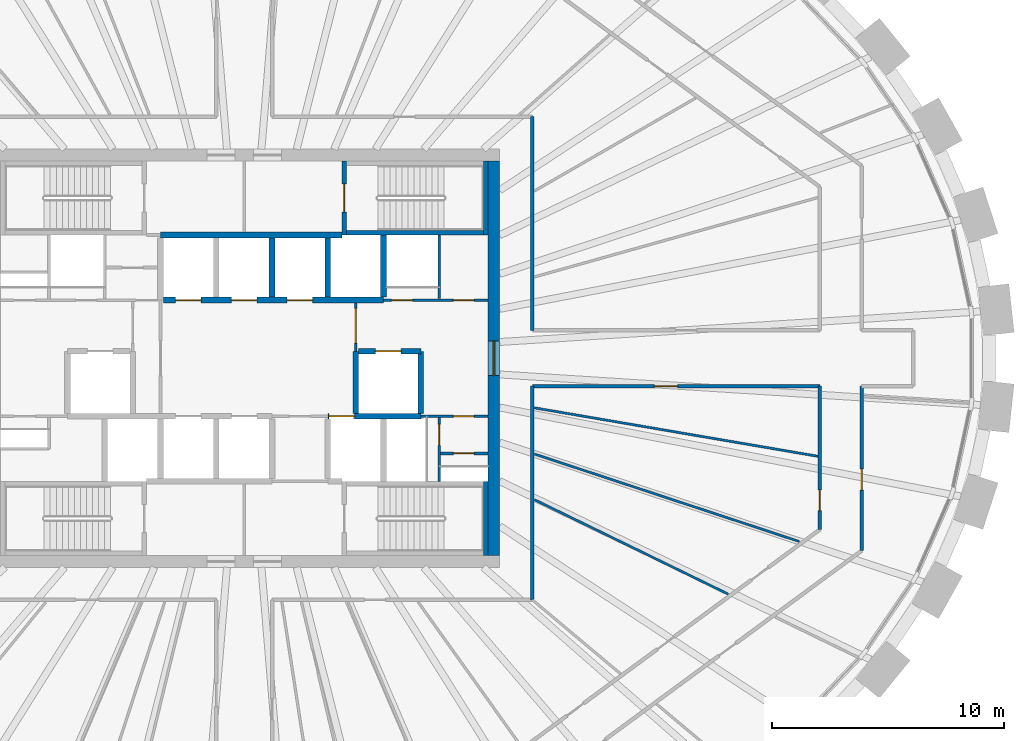
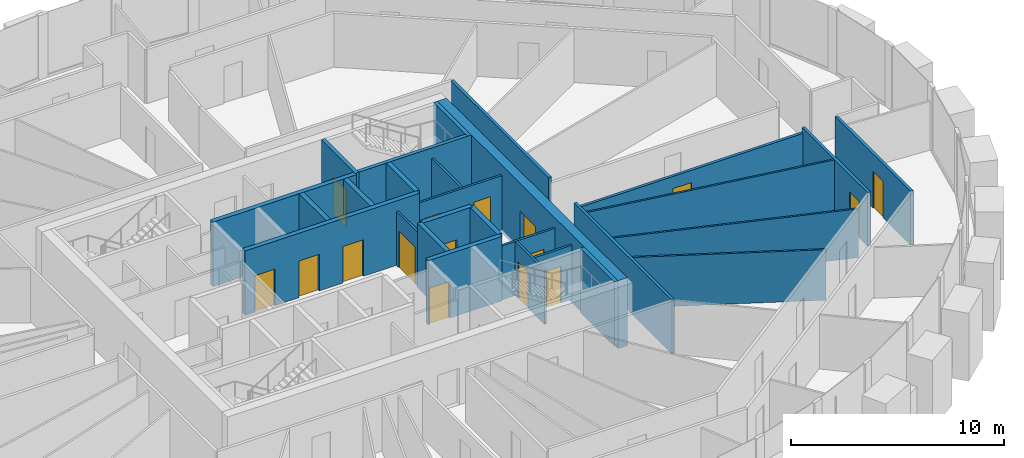
# One storey, part 9 of 12: 28 walls, 16 doors, 16 openings.
"""IFC4 building model written with IfcOpenShell, lengths in metres."""

from ifc_helpers import new_model, si_unit, direction, frame, frame_2d, origin, place, context, subcontext, project, spatial, rectangle, extrude, source, transform, mapped, material, layer, layer_set, type_object, element, fill, save


model = new_model("IFC4")

# Units and contexts
model_context = context("Model", 3, precision=1e-05, world=origin(), true_north=direction((0.0, 1.0)))
body_context = subcontext(model_context, "Body", "Model", "MODEL_VIEW")
ifc_project = project(units=[si_unit("LENGTHUNIT", "METRE"), si_unit("AREAUNIT", "SQUARE_METRE"), si_unit("VOLUMEUNIT", "CUBIC_METRE"), si_unit("PLANEANGLEUNIT", "RADIAN"), si_unit("MASSUNIT", "GRAM", prefix="KILO")], contexts=[model_context])

# Site, building, storey
site_placement = place(None, origin())
site = spatial("IfcSite", under=ifc_project, at=site_placement, CompositionType="ELEMENT")
building_placement = place(site_placement, origin())
building = spatial("IfcBuilding", under=site, at=building_placement, Name="Embergate Tower", CompositionType="ELEMENT")
storey_placement = place(building_placement, frame((0.0, 0.0, 273.39990234375)))
storey = spatial("IfcBuildingStorey", under=building, at=storey_placement, Name="L63", CompositionType="ELEMENT", Elevation=273.39990234375)

# Wall, opening, door
ifc_material_1 = material(Name="Concrete C50", Category="concrete")
ifc_layer_1 = layer(ifc_material_1, 0.5)
ifc_layer_set_1 = layer_set([ifc_layer_1], Name="Concrete C50")
wall_type_1 = type_object("IfcWallType", Name="Core outer wall C50 500", PredefinedType="SHEAR", material=ifc_layer_set_1)
shared_shape_1 = source(origin(), body_context, "Body", "SweptSolid", [
    extrude(rectangle(XDim=17.0, YDim=0.5, at=frame_2d((8.5, 0.0))), origin(), (0.0, 0.0, 1.0), 3.900146484375),
])
wall_1_placement = place(storey_placement, frame((10.75, -8.5, -0.199951171875), z_axis=(0.0, 0.0, 1.0), x_axis=(0.0, 1.0, 0.0)))
wall_1 = element("IfcWall", 1, at=wall_1_placement, inside=storey, type_object=wall_type_1, Name="CW-L63-E", PredefinedType="SHEAR", context=body_context, shape_type="MappedRepresentation", body=[
    mapped(shared_shape_1, transform((0.0, 0.0, 0.0))),
])
shared_shape_2 = source(origin(), body_context, "Body", "SweptSolid", [
    extrude(rectangle(XDim=1.5, YDim=2.10009765625, at=frame_2d((0.75, 1.050048828125))), frame((0.0, 0.260009765625, 0.0), z_axis=(0.0, -1.0, 0.0), x_axis=(1.0, 0.0, 0.0)), (0.0, 0.0, 1.0), 0.52001953125),
])
opening_1_placement = place(wall_1_placement, frame((7.75, 0.0, 0.199951171875)))
opening_1 = element("IfcOpeningElement", 2, at=opening_1_placement, cuts=wall_1, Name="Opening IF-3", PredefinedType="OPENING", context=body_context, shape_type="MappedRepresentation", body=[
    mapped(shared_shape_2, transform((0.0, 0.0, 0.0))),
])
ifc_material_2 = material(Name="Lobby fire door pair 1500")
door_type_1 = type_object("IfcDoorType", Name="Lobby fire door pair 1500", OperationType="DOUBLE_DOOR_SINGLE_SWING", PredefinedType="DOOR", material=ifc_material_2)
shared_shape_3 = source(origin(), body_context, "Body", "SweptSolid", [
    extrude(rectangle(XDim=1.5, YDim=2.10009765625, at=frame_2d((0.75, 1.050048828125))), frame((0.0, 0.02490234375, 0.0), z_axis=(0.0, -1.0, 0.0), x_axis=(1.0, 0.0, 0.0)), (0.0, 0.0, 1.0), 0.050048828125),
])
door_1_placement = place(opening_1_placement, origin())
door_1 = element("IfcDoor", 3, at=door_1_placement, inside=storey, type_object=door_type_1, Name="IF-3 door", OperationType="DOUBLE_DOOR_SINGLE_SWING", OverallHeight=2.10009765625, OverallWidth=1.5, PredefinedType="DOOR", context=body_context, shape_type="MappedRepresentation", body=[
    mapped(shared_shape_3, transform((0.0, 0.0, 0.0))),
])
fill(opening_1, door_1)

# Wall
ifc_material_3 = material(Name="Core partition blockwork 120")
ifc_layer_2 = layer(ifc_material_3, 0.1201171875)
ifc_layer_set_2 = layer_set([ifc_layer_2], Name="Core partition blockwork 120")
wall_type_2 = type_object("IfcWallType", Name="Core partition blockwork 120", PredefinedType="PARTITIONING", material=ifc_layer_set_2)
shared_shape_4 = source(origin(), body_context, "Body", "SweptSolid", [
    extrude(rectangle(XDim=2.739990234375, YDim=0.1201171875, at=frame_2d((1.3701171875, 0.0))), origin(), (0.0, 0.0, 1.0), 3.10009765625),
])
wall_2_placement = place(storey_placement, frame((8.39990234375, 2.56005859375, 0.0), z_axis=(0.0, 0.0, 1.0), x_axis=(0.0, 1.0, 0.0)))
element("IfcWall", 4, at=wall_2_placement, inside=storey, type_object=wall_type_2, Name="IP-3 wall", PredefinedType="PARTITIONING", context=body_context, shape_type="MappedRepresentation", body=[
    mapped(shared_shape_4, transform((0.0, 0.0, 0.0))),
])

# Wall, opening, door
wall_3_placement = place(storey_placement, frame((8.39990234375, -5.300048828125, 0.0), z_axis=(0.0, 0.0, 1.0), x_axis=(0.0, 1.0, 0.0)))
wall_3 = element("IfcWall", 5, at=wall_3_placement, inside=storey, type_object=wall_type_2, Name="IP-3 wall", PredefinedType="PARTITIONING", context=body_context, shape_type="MappedRepresentation", body=[
    mapped(shared_shape_4, transform((0.0, 0.0, 0.0))),
])
shared_shape_5 = source(origin(), body_context, "Body", "SweptSolid", [
    extrude(rectangle(XDim=0.89990234375, YDim=2.10009765625, at=frame_2d((0.449951171875, 1.050048828125))), frame((0.0, 0.070068359375, 0.0), z_axis=(0.0, -1.0, 0.0), x_axis=(1.0, 0.0, 0.0)), (0.0, 0.0, 1.0), 0.14013671875),
])
opening_2_placement = place(wall_3_placement, frame((1.552001953125, 0.0, 0.0)))
opening_2 = element("IfcOpeningElement", 6, at=opening_2_placement, cuts=wall_3, Name="Opening ID-1", PredefinedType="OPENING", context=body_context, shape_type="MappedRepresentation", body=[
    mapped(shared_shape_5, transform((0.0, 0.0, 0.0))),
])
ifc_material_4 = material(Name="Interior door 900")
door_type_2 = type_object("IfcDoorType", Name="Interior door 900", OperationType="SINGLE_SWING_LEFT", PredefinedType="DOOR", material=ifc_material_4)
shared_shape_6 = source(origin(), body_context, "Body", "SweptSolid", [
    extrude(rectangle(XDim=0.89990234375, YDim=2.10009765625, at=frame_2d((0.449951171875, 1.050048828125))), frame((0.0, 0.02490234375, 0.0), z_axis=(0.0, -1.0, 0.0), x_axis=(1.0, 0.0, 0.0)), (0.0, 0.0, 1.0), 0.050048828125),
])
door_2_placement = place(opening_2_placement, origin())
door_2 = element("IfcDoor", 7, at=door_2_placement, inside=storey, type_object=door_type_2, Name="ID-1 door", OperationType="SINGLE_SWING_RIGHT", OverallHeight=2.10009765625, OverallWidth=0.89990234375, PredefinedType="DOOR", context=body_context, shape_type="MappedRepresentation", body=[
    mapped(shared_shape_6, transform((0.0, 0.0, 0.0))),
])
fill(opening_2, door_2)

shared_shape_7 = source(origin(), body_context, "Body", "SweptSolid", [
    extrude(rectangle(XDim=2.074951171875, YDim=0.1201171875, at=frame_2d((1.03759765625, 0.0))), origin(), (0.0, 0.0, 1.0), 3.10009765625),
])
wall_4_placement = place(storey_placement, frame((4.800048828125, 0.300048828125, 0.0), z_axis=(0.0, 0.0, 1.0), x_axis=(0.0, 1.0, 0.0)))
wall_4 = element("IfcWall", 8, at=wall_4_placement, inside=storey, type_object=wall_type_2, Name="IP-3 wall", PredefinedType="PARTITIONING", context=body_context, shape_type="MappedRepresentation", body=[
    mapped(shared_shape_7, transform((0.0, 0.0, 0.0))),
])
shared_shape_8 = source(origin(), body_context, "Body", "SweptSolid", [
    extrude(rectangle(XDim=1.5, YDim=2.10009765625, at=frame_2d((0.75, 1.050048828125))), frame((0.0, 0.070068359375, 0.0), z_axis=(0.0, -1.0, 0.0), x_axis=(1.0, 0.0, 0.0)), (0.0, 0.0, 1.0), 0.14013671875),
])
opening_3_placement = place(wall_4_placement, frame((0.35009765625, 0.0, 0.0)))
opening_3 = element("IfcOpeningElement", 9, at=opening_3_placement, cuts=wall_4, Name="Opening IF-3", PredefinedType="OPENING", context=body_context, shape_type="MappedRepresentation", body=[
    mapped(shared_shape_8, transform((0.0, 0.0, 0.0))),
])
door_3_placement = place(opening_3_placement, origin())
door_3 = element("IfcDoor", 10, at=door_3_placement, inside=storey, type_object=door_type_1, Name="IF-3 door", OperationType="DOUBLE_DOOR_SINGLE_SWING", OverallHeight=2.10009765625, OverallWidth=1.5, PredefinedType="DOOR", context=body_context, shape_type="MappedRepresentation", body=[
    mapped(shared_shape_3, transform((0.0, 0.0, 0.0))),
])
fill(opening_3, door_3)

# Walls
ifc_layer_3 = layer(ifc_material_1, 0.25)
ifc_layer_set_3 = layer_set([ifc_layer_3], Name="Concrete C50")
wall_type_3 = type_object("IfcWallType", Name="Hoistway wall reinforced concrete 250", PredefinedType="SHEAR", material=ifc_layer_set_3)
shared_shape_9 = source(origin(), body_context, "Body", "SweptSolid", [
    extrude(rectangle(XDim=2.675048828125, YDim=0.25, at=frame_2d((1.33740234375, 0.0))), origin(), (0.0, 0.0, 1.0), 3.7001953125),
])
for number, where, z_axis, x_axis, name in (
    (11, (6.0, 2.625, 0.0), (0.0, 0.0, 1.0), (0.0, 1.0, 0.0), "HW-1 wall"),
    (12, (4.800048828125, -2.375, 0.0), (0.0, 0.0, 1.0), (0.0, 1.0, 0.0), "HW-1 wall"),
):
    element("IfcWall", number, at=place(storey_placement, frame(where, z_axis=z_axis, x_axis=x_axis)), inside=storey, type_object=wall_type_3, Name=name, PredefinedType="SHEAR", context=body_context, shape_type="MappedRepresentation", body=[
        mapped(shared_shape_9, transform((0.0, 0.0, 0.0))),
    ])

# Wall, opening, door
wall_5_placement = place(storey_placement, frame((7.60009765625, 0.300048828125, 0.0), z_axis=(0.0, 0.0, 1.0), x_axis=(-1.0, 0.0, 0.0)))
wall_5 = element("IfcWall", 13, at=wall_5_placement, inside=storey, type_object=wall_type_3, Name="HW-1 wall", PredefinedType="SHEAR", context=body_context, shape_type="MappedRepresentation", body=[
    mapped(shared_shape_9, transform((0.0, 0.0, 0.0))),
])
shared_shape_10 = source(origin(), body_context, "Body", "SweptSolid", [
    extrude(rectangle(XDim=1.10009765625, YDim=2.10009765625, at=frame_2d((0.550048828125, 1.050048828125))), frame((0.0, 0.135009765625, 0.0), z_axis=(0.0, -1.0, 0.0), x_axis=(1.0, 0.0, 0.0)), (0.0, 0.0, 1.0), 0.27001953125),
])
opening_4_placement = place(wall_5_placement, frame((0.85009765625, 0.0, 0.0)))
opening_4 = element("IfcOpeningElement", 14, at=opening_4_placement, cuts=wall_5, Name="Opening LD", PredefinedType="OPENING", context=body_context, shape_type="MappedRepresentation", body=[
    mapped(shared_shape_10, transform((0.0, 0.0, 0.0))),
])
ifc_material_5 = material(Name="Landing door sliding 1100")
door_type_3 = type_object("IfcDoorType", Name="Landing door sliding 1100", OperationType="SLIDING_TO_LEFT", PredefinedType="DOOR", material=ifc_material_5)
shared_shape_11 = source(origin(), body_context, "Body", "SweptSolid", [
    extrude(rectangle(XDim=1.10009765625, YDim=2.10009765625, at=frame_2d((0.550048828125, 1.050048828125))), frame((0.0, 0.02490234375, 0.0), z_axis=(0.0, -1.0, 0.0), x_axis=(1.0, 0.0, 0.0)), (0.0, 0.0, 1.0), 0.050048828125),
])
door_4_placement = place(opening_4_placement, origin())
door_4 = element("IfcDoor", 15, at=door_4_placement, inside=storey, type_object=door_type_3, Name="LD door", OperationType="SLIDING_TO_RIGHT", OverallHeight=2.10009765625, OverallWidth=1.10009765625, PredefinedType="DOOR", context=body_context, shape_type="MappedRepresentation", body=[
    mapped(shared_shape_11, transform((0.0, 0.0, 0.0))),
])
fill(opening_4, door_4)

# Walls
wall_6_placement = place(storey_placement, frame((7.60009765625, -2.375, 0.0), z_axis=(0.0, 0.0, 1.0), x_axis=(0.0, 1.0, 0.0)))
element("IfcWall", 16, at=wall_6_placement, inside=storey, type_object=wall_type_3, Name="HW-1 wall", PredefinedType="SHEAR", context=body_context, shape_type="MappedRepresentation", body=[
    mapped(shared_shape_9, transform((0.0, 0.0, 0.0))),
])
ifc_layer_4 = layer(ifc_material_1, 0.199951171875)
ifc_layer_set_4 = layer_set([ifc_layer_4], Name="Concrete C50")
wall_type_4 = type_object("IfcWallType", Name="Stair enclosure wall reinforced concrete 250", PredefinedType="SHEAR", material=ifc_layer_set_4)
shared_shape_12 = source(origin(), body_context, "Body", "SweptSolid", [
    extrude(rectangle(XDim=6.300048828125, YDim=0.199951171875, at=frame_2d((3.14990234375, 0.0))), origin(), (0.0, 0.0, 1.0), 3.7001953125),
])
wall_7_placement = place(storey_placement, frame((10.5, 5.39990234375, 0.0), z_axis=(0.0, 0.0, 1.0), x_axis=(-1.0, 0.0, 0.0)))
element("IfcWall", 17, at=wall_7_placement, inside=storey, type_object=wall_type_4, Name="SE-1 wall", PredefinedType="SHEAR", context=body_context, shape_type="MappedRepresentation", body=[
    mapped(shared_shape_12, transform((0.0, 0.0, 0.0))),
])
shared_shape_13 = source(origin(), body_context, "Body", "SweptSolid", [
    extrude(rectangle(XDim=2.550048828125, YDim=0.25, at=frame_2d((1.27490234375, 0.0))), origin(), (0.0, 0.0, 1.0), 3.7001953125),
])
for number, where, z_axis, x_axis, name in (
    (18, (1.199951171875, 2.625, 0.0), (0.0, 0.0, 1.0), (0.0, 1.0, 0.0), "HW-1 wall"),
    (19, (3.60009765625, 2.625, 0.0), (0.0, 0.0, 1.0), (0.0, 1.0, 0.0), "HW-1 wall"),
):
    element("IfcWall", number, at=place(storey_placement, frame(where, z_axis=z_axis, x_axis=x_axis)), inside=storey, type_object=wall_type_3, Name=name, PredefinedType="SHEAR", context=body_context, shape_type="MappedRepresentation", body=[
        mapped(shared_shape_13, transform((0.0, 0.0, 0.0))),
    ])

# Wall, opening, door
shared_shape_14 = source(origin(), body_context, "Body", "SweptSolid", [
    extrude(rectangle(XDim=3.199951171875, YDim=0.199951171875, at=frame_2d((1.60009765625, 0.0))), origin(), (0.0, 0.0, 1.0), 3.7001953125),
])
wall_8_placement = place(storey_placement, frame((4.300048828125, 8.5, 0.0), z_axis=(0.0, 0.0, 1.0), x_axis=(0.0, -1.0, 0.0)))
wall_8 = element("IfcWall", 20, at=wall_8_placement, inside=storey, type_object=wall_type_4, Name="SE-1 wall", PredefinedType="SHEAR", context=body_context, shape_type="MappedRepresentation", body=[
    mapped(shared_shape_14, transform((0.0, 0.0, 0.0))),
])
shared_shape_15 = source(origin(), body_context, "Body", "SweptSolid", [
    extrude(rectangle(XDim=1.199951171875, YDim=2.10009765625, at=frame_2d((0.60009765625, 1.050048828125))), frame((0.0, 0.10986328125, 0.0), z_axis=(0.0, -1.0, 0.0), x_axis=(1.0, 0.0, 0.0)), (0.0, 0.0, 1.0), 0.219970703125),
])
opening_5_placement = place(wall_8_placement, frame((1.0, 0.0, 0.0)))
opening_5 = element("IfcOpeningElement", 21, at=opening_5_placement, cuts=wall_8, Name="Opening IF-2", PredefinedType="OPENING", context=body_context, shape_type="MappedRepresentation", body=[
    mapped(shared_shape_15, transform((0.0, 0.0, 0.0))),
])
ifc_material_6 = material(Name="Stair enclosure door 1200")
door_type_4 = type_object("IfcDoorType", Name="Stair enclosure door 1200", OperationType="SINGLE_SWING_LEFT", PredefinedType="DOOR", material=ifc_material_6)
shared_shape_16 = source(origin(), body_context, "Body", "SweptSolid", [
    extrude(rectangle(XDim=1.199951171875, YDim=2.10009765625, at=frame_2d((0.60009765625, 1.050048828125))), frame((0.0, 0.02490234375, 0.0), z_axis=(0.0, -1.0, 0.0), x_axis=(1.0, 0.0, 0.0)), (0.0, 0.0, 1.0), 0.050048828125),
])
door_5_placement = place(opening_5_placement, origin())
door_5 = element("IfcDoor", 22, at=door_5_placement, inside=storey, type_object=door_type_4, Name="IF-2 door", OperationType="SINGLE_SWING_RIGHT", OverallHeight=2.10009765625, OverallWidth=1.199951171875, PredefinedType="DOOR", context=body_context, shape_type="MappedRepresentation", body=[
    mapped(shared_shape_16, transform((0.0, 0.0, 0.0))),
])
fill(opening_5, door_5)

# Wall
ifc_material_7 = material(Name="Corridor wall dry-lined 150")
ifc_layer_5 = layer(ifc_material_7, 0.14990234375)
ifc_layer_set_5 = layer_set([ifc_layer_5], Name="Corridor wall dry-lined 150")
wall_type_5 = type_object("IfcWallType", Name="Corridor wall dry-lined 150", PredefinedType="PARTITIONING", material=ifc_layer_set_5)
shared_shape_17 = source(origin(), body_context, "Body", "SweptSolid", [
    extrude(rectangle(XDim=9.199951171875, YDim=0.14990234375, at=frame_2d((4.60009765625, 0.0))), origin(), (0.0, 0.0, 1.0), 3.10009765625),
])
wall_9_placement = place(storey_placement, frame((12.39990234375, 10.39990234375, 0.0), z_axis=(0.0, 0.0, 1.0), x_axis=(0.0, -1.0, 0.0)))
element("IfcWall", 23, at=wall_9_placement, inside=storey, type_object=wall_type_5, Name="IP-2 wall", PredefinedType="PARTITIONING", context=body_context, shape_type="MappedRepresentation", body=[
    mapped(shared_shape_17, transform((0.0, 0.0, 0.0))),
])

# Wall, openings, doors
shared_shape_18 = source(origin(), body_context, "Body", "SweptSolid", [
    extrude(rectangle(XDim=4.5, YDim=0.1201171875, at=frame_2d((2.25, 0.0))), origin(), (0.0, 0.0, 1.0), 3.10009765625),
])
wall_10_placement = place(storey_placement, frame((6.0, 2.5, 0.0), z_axis=(0.0, 0.0, 1.0), x_axis=(1.0, 0.0, 0.0)))
wall_10 = element("IfcWall", 24, at=wall_10_placement, inside=storey, type_object=wall_type_2, Name="IP-3 wall", PredefinedType="PARTITIONING", context=body_context, shape_type="MappedRepresentation", body=[
    mapped(shared_shape_18, transform((0.0, 0.0, 0.0))),
])
opening_6_placement = place(wall_10_placement, frame((0.35009765625, 0.0, 0.0)))
opening_6 = element("IfcOpeningElement", 25, at=opening_6_placement, cuts=wall_10, Name="Opening ID-1", PredefinedType="OPENING", context=body_context, shape_type="MappedRepresentation", body=[
    mapped(shared_shape_5, transform((0.0, 0.0, 0.0))),
])
opening_7_placement = place(wall_10_placement, frame((3.0, 0.0, 0.0)))
opening_7 = element("IfcOpeningElement", 26, at=opening_7_placement, cuts=wall_10, Name="Opening ID-1", PredefinedType="OPENING", context=body_context, shape_type="MappedRepresentation", body=[
    mapped(shared_shape_5, transform((0.0, 0.0, 0.0))),
])
door_6_placement = place(opening_6_placement, origin())
door_6 = element("IfcDoor", 27, at=door_6_placement, inside=storey, type_object=door_type_2, Name="ID-1 door", OperationType="SINGLE_SWING_RIGHT", OverallHeight=2.10009765625, OverallWidth=0.89990234375, PredefinedType="DOOR", context=body_context, shape_type="MappedRepresentation", body=[
    mapped(shared_shape_6, transform((0.0, 0.0, 0.0))),
])
fill(opening_6, door_6)
door_7_placement = place(opening_7_placement, origin())
door_7 = element("IfcDoor", 28, at=door_7_placement, inside=storey, type_object=door_type_2, Name="ID-1 door", OperationType="SINGLE_SWING_LEFT", OverallHeight=2.10009765625, OverallWidth=0.89990234375, PredefinedType="DOOR", context=body_context, shape_type="MappedRepresentation", body=[
    mapped(shared_shape_6, transform((0.0, 0.0, 0.0))),
])
fill(opening_7, door_7)

# Wall, opening, door
shared_shape_19 = source(origin(), body_context, "Body", "SweptSolid", [
    extrude(rectangle(XDim=2.89990234375, YDim=0.1201171875, at=frame_2d((1.449951171875, 0.0))), origin(), (0.0, 0.0, 1.0), 3.10009765625),
])
wall_11_placement = place(storey_placement, frame((10.5, -2.5, 0.0), z_axis=(0.0, 0.0, 1.0), x_axis=(-1.0, 0.0, 0.0)))
wall_11 = element("IfcWall", 29, at=wall_11_placement, inside=storey, type_object=wall_type_2, Name="IP-3 wall", PredefinedType="PARTITIONING", context=body_context, shape_type="MappedRepresentation", body=[
    mapped(shared_shape_19, transform((0.0, 0.0, 0.0))),
])
opening_8_placement = place(wall_11_placement, frame((0.60009765625, 0.0, 0.0)))
opening_8 = element("IfcOpeningElement", 30, at=opening_8_placement, cuts=wall_11, Name="Opening ID-1", PredefinedType="OPENING", context=body_context, shape_type="MappedRepresentation", body=[
    mapped(shared_shape_5, transform((0.0, 0.0, 0.0))),
])
door_8_placement = place(opening_8_placement, origin())
door_8 = element("IfcDoor", 31, at=door_8_placement, inside=storey, type_object=door_type_2, Name="ID-1 door", OperationType="SINGLE_SWING_RIGHT", OverallHeight=2.10009765625, OverallWidth=0.89990234375, PredefinedType="DOOR", context=body_context, shape_type="MappedRepresentation", body=[
    mapped(shared_shape_6, transform((0.0, 0.0, 0.0))),
])
fill(opening_8, door_8)

# Wall, openings, doors
shared_shape_20 = source(origin(), body_context, "Body", "SweptSolid", [
    extrude(rectangle(XDim=9.47509765625, YDim=0.25, at=frame_2d((4.737548828125, 0.0))), origin(), (0.0, 0.0, 1.0), 3.7001953125),
])
wall_12_placement = place(storey_placement, frame((-3.47509765625, 2.5, 0.0), z_axis=(0.0, 0.0, 1.0), x_axis=(1.0, 0.0, 0.0)))
wall_12 = element("IfcWall", 32, at=wall_12_placement, inside=storey, type_object=wall_type_3, Name="HW-1 wall", PredefinedType="SHEAR", context=body_context, shape_type="MappedRepresentation", body=[
    mapped(shared_shape_20, transform((0.0, 0.0, 0.0))),
])
opening_9_placement = place(wall_12_placement, frame((0.52490234375, 0.0, 0.0)))
opening_9 = element("IfcOpeningElement", 33, at=opening_9_placement, cuts=wall_12, Name="Opening LD", PredefinedType="OPENING", context=body_context, shape_type="MappedRepresentation", body=[
    mapped(shared_shape_10, transform((0.0, 0.0, 0.0))),
])
opening_10_placement = place(wall_12_placement, frame((2.925048828125, 0.0, 0.0)))
opening_10 = element("IfcOpeningElement", 34, at=opening_10_placement, cuts=wall_12, Name="Opening LD", PredefinedType="OPENING", context=body_context, shape_type="MappedRepresentation", body=[
    mapped(shared_shape_10, transform((0.0, 0.0, 0.0))),
])
opening_11_placement = place(wall_12_placement, frame((5.324951171875, 0.0, 0.0)))
opening_11 = element("IfcOpeningElement", 35, at=opening_11_placement, cuts=wall_12, Name="Opening LD", PredefinedType="OPENING", context=body_context, shape_type="MappedRepresentation", body=[
    mapped(shared_shape_10, transform((0.0, 0.0, 0.0))),
])
door_9_placement = place(opening_9_placement, origin())
door_9 = element("IfcDoor", 36, at=door_9_placement, inside=storey, type_object=door_type_3, Name="LD door", OperationType="SLIDING_TO_LEFT", OverallHeight=2.10009765625, OverallWidth=1.10009765625, PredefinedType="DOOR", context=body_context, shape_type="MappedRepresentation", body=[
    mapped(shared_shape_11, transform((0.0, 0.0, 0.0))),
])
fill(opening_9, door_9)
door_10_placement = place(opening_10_placement, origin())
door_10 = element("IfcDoor", 37, at=door_10_placement, inside=storey, type_object=door_type_3, Name="LD door", OperationType="SLIDING_TO_RIGHT", OverallHeight=2.10009765625, OverallWidth=1.10009765625, PredefinedType="DOOR", context=body_context, shape_type="MappedRepresentation", body=[
    mapped(shared_shape_11, transform((0.0, 0.0, 0.0))),
])
fill(opening_10, door_10)
door_11_placement = place(opening_11_placement, origin())
door_11 = element("IfcDoor", 38, at=door_11_placement, inside=storey, type_object=door_type_3, Name="LD door", OperationType="SLIDING_TO_RIGHT", OverallHeight=2.10009765625, OverallWidth=1.10009765625, PredefinedType="DOOR", context=body_context, shape_type="MappedRepresentation", body=[
    mapped(shared_shape_11, transform((0.0, 0.0, 0.0))),
])
fill(opening_11, door_11)

# Wall
shared_shape_21 = source(origin(), body_context, "Body", "SweptSolid", [
    extrude(rectangle(XDim=7.800048828125, YDim=0.25, at=frame_2d((3.89990234375, 0.0))), origin(), (0.0, 0.0, 1.0), 3.7001953125),
])
wall_13_placement = place(storey_placement, frame((4.199951171875, 5.300048828125, 0.0), z_axis=(0.0, 0.0, 1.0), x_axis=(-1.0, 0.0, 0.0)))
element("IfcWall", 39, at=wall_13_placement, inside=storey, type_object=wall_type_3, Name="HW-1 wall", PredefinedType="SHEAR", context=body_context, shape_type="MappedRepresentation", body=[
    mapped(shared_shape_21, transform((0.0, 0.0, 0.0))),
])

# Wall, opening, door
shared_shape_22 = source(origin(), body_context, "Body", "SweptSolid", [
    extrude(rectangle(XDim=4.0, YDim=0.25, at=frame_2d((2.0, 0.0))), origin(), (0.0, 0.0, 1.0), 3.7001953125),
])
wall_14_placement = place(storey_placement, frame((7.60009765625, -2.5, 0.0), z_axis=(0.0, 0.0, 1.0), x_axis=(-1.0, 0.0, 0.0)))
wall_14 = element("IfcWall", 40, at=wall_14_placement, inside=storey, type_object=wall_type_3, Name="HW-1 wall", PredefinedType="SHEAR", context=body_context, shape_type="MappedRepresentation", body=[
    mapped(shared_shape_22, transform((0.0, 0.0, 0.0))),
])
opening_12_placement = place(wall_14_placement, frame((2.85009765625, 0.0, 0.0)))
opening_12 = element("IfcOpeningElement", 41, at=opening_12_placement, cuts=wall_14, Name="Opening LD", PredefinedType="OPENING", context=body_context, shape_type="MappedRepresentation", body=[
    mapped(shared_shape_10, transform((0.0, 0.0, 0.0))),
])
door_12_placement = place(opening_12_placement, origin())
door_12 = element("IfcDoor", 42, at=door_12_placement, inside=storey, type_object=door_type_3, Name="LD door", OperationType="SLIDING_TO_LEFT", OverallHeight=2.10009765625, OverallWidth=1.10009765625, PredefinedType="DOOR", context=body_context, shape_type="MappedRepresentation", body=[
    mapped(shared_shape_11, transform((0.0, 0.0, 0.0))),
])
fill(opening_12, door_12)

# Walls
shared_shape_23 = source(origin(), body_context, "Body", "SweptSolid", [
    extrude(rectangle(XDim=3.197998046875, YDim=0.199951171875, at=frame_2d((1.59912109375, 0.0))), origin(), (0.0, 0.0, 1.0), 3.7001953125),
])
for number, where, z_axis, x_axis, name in (
    (43, (10.39990234375, 5.302001953125, 0.0), (0.0, 0.0, 1.0), (0.0, 1.0, 0.0), "SE-1 wall"),
    (44, (10.39990234375, -8.5, 0.0), (0.0, 0.0, 1.0), (0.0, 1.0, 0.0), "SE-1 wall"),
):
    element("IfcWall", number, at=place(storey_placement, frame(where, z_axis=z_axis, x_axis=x_axis)), inside=storey, type_object=wall_type_4, Name=name, PredefinedType="SHEAR", context=body_context, shape_type="MappedRepresentation", body=[
        mapped(shared_shape_23, transform((0.0, 0.0, 0.0))),
    ])

# Wall, opening, door
shared_shape_24 = source(origin(), body_context, "Body", "SweptSolid", [
    extrude(rectangle(XDim=2.0400390625, YDim=0.1201171875, at=frame_2d((1.02001953125, 0.0))), origin(), (0.0, 0.0, 1.0), 3.10009765625),
])
wall_15_placement = place(storey_placement, frame((10.5, -4.095947265625, 0.0), z_axis=(0.0, 0.0, 1.0), x_axis=(-1.0, 0.0, 0.0)))
wall_15 = element("IfcWall", 45, at=wall_15_placement, inside=storey, type_object=wall_type_2, Name="IP-3 wall", PredefinedType="PARTITIONING", context=body_context, shape_type="MappedRepresentation", body=[
    mapped(shared_shape_24, transform((0.0, 0.0, 0.0))),
])
opening_13_placement = place(wall_15_placement, frame((0.60009765625, 0.0, 0.0)))
opening_13 = element("IfcOpeningElement", 46, at=opening_13_placement, cuts=wall_15, Name="Opening ID-1", PredefinedType="OPENING", context=body_context, shape_type="MappedRepresentation", body=[
    mapped(shared_shape_5, transform((0.0, 0.0, 0.0))),
])
door_13_placement = place(opening_13_placement, origin())
door_13 = element("IfcDoor", 47, at=door_13_placement, inside=storey, type_object=door_type_2, Name="ID-1 door", OperationType="SINGLE_SWING_LEFT", OverallHeight=2.10009765625, OverallWidth=0.89990234375, PredefinedType="DOOR", context=body_context, shape_type="MappedRepresentation", body=[
    mapped(shared_shape_6, transform((0.0, 0.0, 0.0))),
])
fill(opening_13, door_13)

# Wall
ifc_material_8 = material(Name="Corridor wall dry-lined 150 wet")
ifc_layer_6 = layer(ifc_material_8, 0.14990234375)
ifc_layer_set_6 = layer_set([ifc_layer_6], Name="Corridor wall dry-lined 150 wet")
wall_type_6 = type_object("IfcWallType", Name="Corridor wall dry-lined 150 wet", PredefinedType="PLUMBINGWALL", material=ifc_layer_set_6)
shared_shape_25 = source(origin(), body_context, "Body", "SweptSolid", [
    extrude(rectangle(XDim=9.198974609375, YDim=0.14990234375, at=frame_2d((4.599609375, 0.0))), origin(), (0.0, 0.0, 1.0), 3.10009765625),
])
wall_16_placement = place(storey_placement, frame((12.39990234375, -1.199951171875, 0.0), z_axis=(0.0, 0.0, 1.0), x_axis=(0.0, -1.0, 0.0)))
element("IfcWall", 48, at=wall_16_placement, inside=storey, type_object=wall_type_6, Name="IP-2 wall", PredefinedType="PLUMBINGWALL", context=body_context, shape_type="MappedRepresentation", body=[
    mapped(shared_shape_25, transform((0.0, 0.0, 0.0))),
])

# Wall, opening, door
shared_shape_26 = source(origin(), body_context, "Body", "SweptSolid", [
    extrude(rectangle(XDim=7.083984375, YDim=0.14990234375, at=frame_2d((3.5419921875, 0.0))), origin(), (0.0, 0.0, 1.0), 3.10009765625),
])
wall_17_placement = place(storey_placement, frame((26.5810546875, -8.283935546875, 0.0), z_axis=(0.0, 0.0, 1.0), x_axis=(0.0, 1.0, 0.0)))
wall_17 = element("IfcWall", 49, at=wall_17_placement, inside=storey, type_object=wall_type_5, Name="IP-2 wall", PredefinedType="PARTITIONING", context=body_context, shape_type="MappedRepresentation", body=[
    mapped(shared_shape_26, transform((0.0, 0.0, 0.0))),
])
shared_shape_27 = source(origin(), body_context, "Body", "SweptSolid", [
    extrude(rectangle(XDim=0.89990234375, YDim=2.10009765625, at=frame_2d((0.449951171875, 1.050048828125))), frame((0.0, 0.0849609375, 0.0), z_axis=(0.0, -1.0, 0.0), x_axis=(1.0, 0.0, 0.0)), (0.0, 0.0, 1.0), 0.169921875),
])
opening_14_placement = place(wall_17_placement, frame((2.611328125, 0.0, 0.0)))
opening_14 = element("IfcOpeningElement", 50, at=opening_14_placement, cuts=wall_17, Name="Opening IF-1c", PredefinedType="OPENING", context=body_context, shape_type="MappedRepresentation", body=[
    mapped(shared_shape_27, transform((0.0, 0.0, 0.0))),
])
ifc_material_9 = material(Name="Escape fire door 900")
door_type_5 = type_object("IfcDoorType", Name="Escape fire door 900", OperationType="SINGLE_SWING_LEFT", PredefinedType="DOOR", material=ifc_material_9)
door_14_placement = place(opening_14_placement, origin())
door_14 = element("IfcDoor", 51, at=door_14_placement, inside=storey, type_object=door_type_5, Name="IF-1 door", OperationType="SINGLE_SWING_LEFT", OverallHeight=2.10009765625, OverallWidth=0.89990234375, PredefinedType="DOOR", context=body_context, shape_type="MappedRepresentation", body=[
    mapped(shared_shape_6, transform((0.0, 0.0, 0.0))),
])
fill(opening_14, door_14)

shared_shape_28 = source(origin(), body_context, "Body", "SweptSolid", [
    extrude(rectangle(XDim=12.381103515625, YDim=0.14990234375, at=frame_2d((6.1904296875, 0.0))), origin(), (0.0, 0.0, 1.0), 2.800048828125),
])
wall_18_placement = place(storey_placement, frame((24.781005859375, -1.199951171875, 0.0), z_axis=(0.0, 0.0, 1.0), x_axis=(-1.0, 0.0, 0.0)))
wall_18 = element("IfcWall", 52, at=wall_18_placement, inside=storey, type_object=wall_type_5, Name="IP-2 wall", PredefinedType="PARTITIONING", context=body_context, shape_type="MappedRepresentation", body=[
    mapped(shared_shape_28, transform((0.0, 0.0, 0.0))),
])
shared_shape_29 = source(origin(), body_context, "Body", "SweptSolid", [
    extrude(rectangle(XDim=1.0, YDim=2.10009765625, at=frame_2d((0.5, 1.050048828125))), frame((0.0, 0.0849609375, 0.0), z_axis=(0.0, -1.0, 0.0), x_axis=(1.0, 0.0, 0.0)), (0.0, 0.0, 1.0), 0.169921875),
])
opening_15_placement = place(wall_18_placement, frame((6.1220703125, 0.0, 0.0)))
opening_15 = element("IfcOpeningElement", 53, at=opening_15_placement, cuts=wall_18, Name="Opening ID-2", PredefinedType="OPENING", context=body_context, shape_type="MappedRepresentation", body=[
    mapped(shared_shape_29, transform((0.0, 0.0, 0.0))),
])
ifc_material_10 = material(Name="Interior door 1000")
door_type_6 = type_object("IfcDoorType", Name="Interior door 1000", OperationType="SINGLE_SWING_LEFT", PredefinedType="DOOR", material=ifc_material_10)
shared_shape_30 = source(origin(), body_context, "Body", "SweptSolid", [
    extrude(rectangle(XDim=1.0, YDim=2.10009765625, at=frame_2d((0.5, 1.050048828125))), frame((0.0, 0.02490234375, 0.0), z_axis=(0.0, -1.0, 0.0), x_axis=(1.0, 0.0, 0.0)), (0.0, 0.0, 1.0), 0.050048828125),
])
door_15_placement = place(opening_15_placement, origin())
door_15 = element("IfcDoor", 54, at=door_15_placement, inside=storey, type_object=door_type_6, Name="ID-2 door", OperationType="SINGLE_SWING_LEFT", OverallHeight=2.10009765625, OverallWidth=1.0, PredefinedType="DOOR", context=body_context, shape_type="MappedRepresentation", body=[
    mapped(shared_shape_30, transform((0.0, 0.0, 0.0))),
])
fill(opening_15, door_15)

shared_shape_31 = source(origin(), body_context, "Body", "SweptSolid", [
    extrude(rectangle(XDim=6.174072265625, YDim=0.14990234375, at=frame_2d((3.0869140625, 0.0))), origin(), (0.0, 0.0, 1.0), 3.10009765625),
])
wall_19_placement = place(storey_placement, frame((24.781005859375, -1.199951171875, 0.0), z_axis=(0.0, 0.0, 1.0), x_axis=(0.0, -1.0, 0.0)))
wall_19 = element("IfcWall", 55, at=wall_19_placement, inside=storey, type_object=wall_type_5, Name="IP-2 wall", PredefinedType="PARTITIONING", context=body_context, shape_type="MappedRepresentation", body=[
    mapped(shared_shape_31, transform((0.0, 0.0, 0.0))),
])
opening_16_placement = place(wall_19_placement, frame((4.465087890625, 0.0, 0.0)))
opening_16 = element("IfcOpeningElement", 56, at=opening_16_placement, cuts=wall_19, Name="Opening IF-1c", PredefinedType="OPENING", context=body_context, shape_type="MappedRepresentation", body=[
    mapped(shared_shape_27, transform((0.0, 0.0, 0.0))),
])
door_16_placement = place(opening_16_placement, origin())
door_16 = element("IfcDoor", 57, at=door_16_placement, inside=storey, type_object=door_type_5, Name="IF-1 door", OperationType="SINGLE_SWING_LEFT", OverallHeight=2.10009765625, OverallWidth=0.89990234375, PredefinedType="DOOR", context=body_context, shape_type="MappedRepresentation", body=[
    mapped(shared_shape_6, transform((0.0, 0.0, 0.0))),
])
fill(opening_16, door_16)

# Walls
ifc_material_11 = material(Name="Partition dry-lined 100")
ifc_layer_7 = layer(ifc_material_11, 0.10009765625)
ifc_layer_set_7 = layer_set([ifc_layer_7], Name="Partition dry-lined 100")
wall_type_7 = type_object("IfcWallType", Name="Partition dry-lined 100", PredefinedType="PARTITIONING", material=ifc_layer_set_7)
shared_shape_32 = source(origin(), body_context, "Body", "SweptSolid", [
    extrude(rectangle(XDim=12.01806640625, YDim=0.10009765625, at=frame_2d((6.009033203125, 0.0))), origin(), (0.0, 0.0, 1.0), 2.800048828125),
])
wall_20_placement = place(storey_placement, frame((12.490966796875, -4.1240234375, 0.0), z_axis=(0.0, 0.0, 1.0), x_axis=(0.949577371286, -0.313532798828, 0.0)))
element("IfcWall", 58, at=wall_20_placement, inside=storey, type_object=wall_type_7, Name="IP-1 wall", PredefinedType="PARTITIONING", context=body_context, shape_type="MappedRepresentation", body=[
    mapped(shared_shape_32, transform((0.0, 0.0, 0.0))),
])
shared_shape_33 = source(origin(), body_context, "Body", "SweptSolid", [
    extrude(rectangle(XDim=12.392333984375, YDim=0.10009765625, at=frame_2d((6.1962890625, 0.0))), origin(), (0.0, 0.0, 1.0), 3.10009765625),
])
wall_21_placement = place(storey_placement, frame((12.48291015625, -2.134033203125, 0.0), z_axis=(0.0, 0.0, 1.0), x_axis=(0.985704441863, -0.168483688502, 0.0)))
element("IfcWall", 59, at=wall_21_placement, inside=storey, type_object=wall_type_7, Name="IP-1 wall", PredefinedType="PARTITIONING", context=body_context, shape_type="MappedRepresentation", body=[
    mapped(shared_shape_33, transform((0.0, 0.0, 0.0))),
])
ifc_material_12 = material(Name="Partition dry-lined 100 wet")
ifc_layer_8 = layer(ifc_material_12, 0.10009765625)
ifc_layer_set_8 = layer_set([ifc_layer_8], Name="Partition dry-lined 100 wet")
wall_type_8 = type_object("IfcWallType", Name="Partition dry-lined 100 wet", PredefinedType="PLUMBINGWALL", material=ifc_layer_set_8)
shared_shape_34 = source(origin(), body_context, "Body", "SweptSolid", [
    extrude(rectangle(XDim=9.27783203125, YDim=0.10009765625, at=frame_2d((4.638916015625, 0.0))), origin(), (0.0, 0.0, 1.0), 2.900146484375),
])
wall_22_placement = place(storey_placement, frame((12.4970703125, -6.091064453125, 0.0), z_axis=(0.0, 0.0, 1.0), x_axis=(0.898907497404, -0.438138461118, 0.0)))
element("IfcWall", 60, at=wall_22_placement, inside=storey, type_object=wall_type_8, Name="IP-1 wall", PredefinedType="PLUMBINGWALL", context=body_context, shape_type="MappedRepresentation", body=[
    mapped(shared_shape_34, transform((0.0, 0.0, 0.0))),
])

save(model, "model.ifc")
